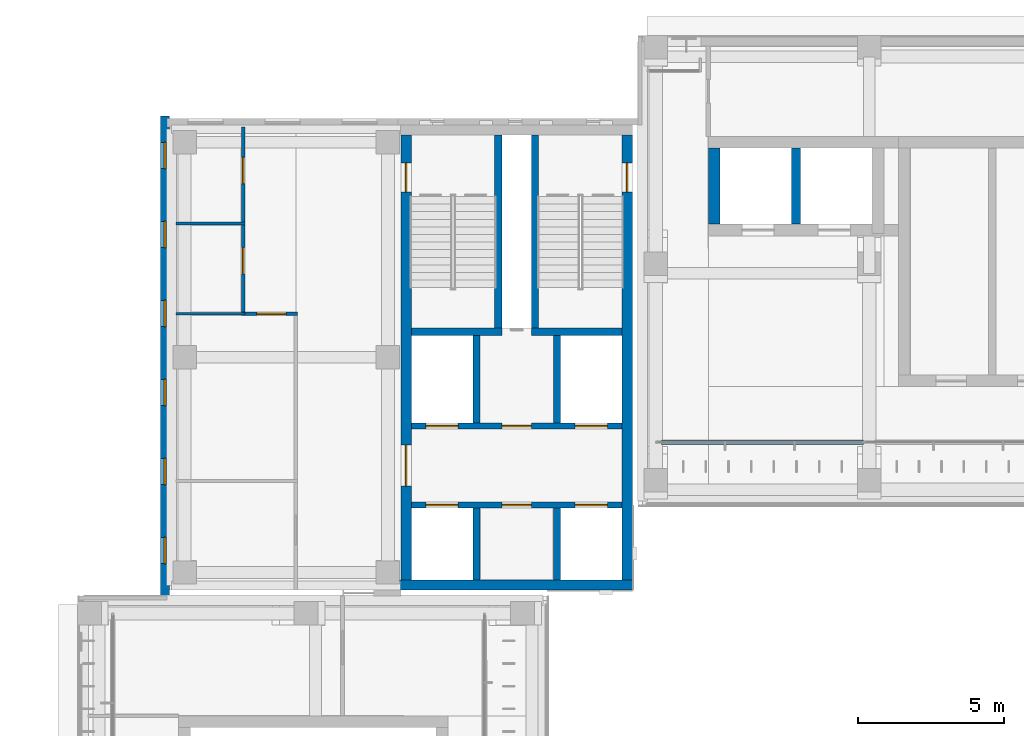
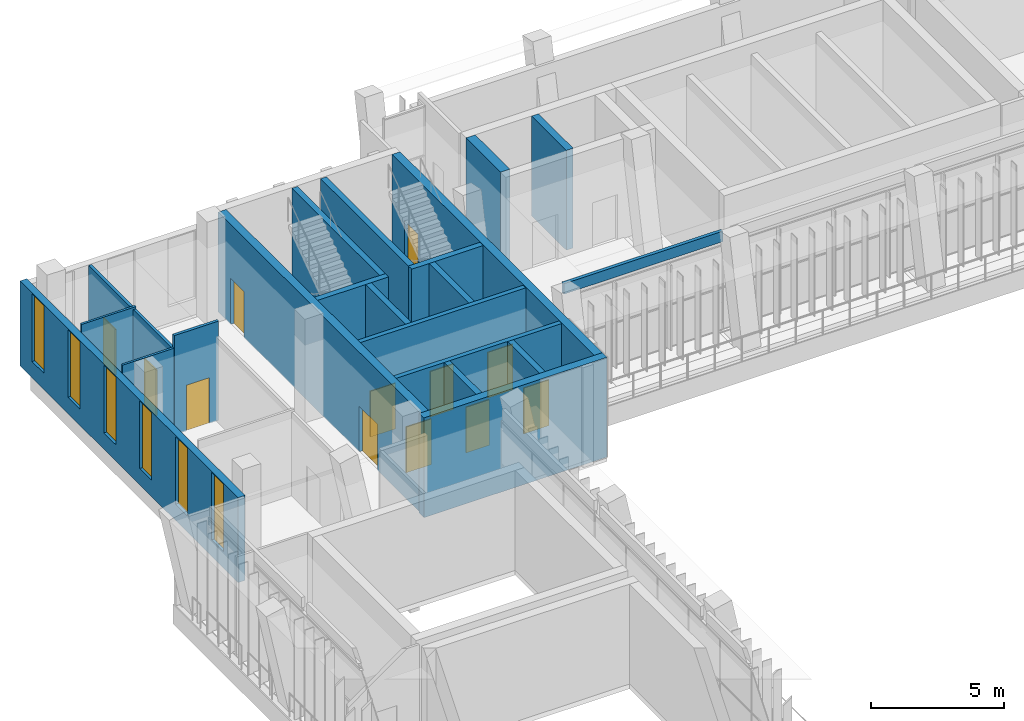
# One storey, part 63 of 89: 21 walls, 12 doors, 6 windows, 18 openings.
"""IFC4 building model written with IfcOpenShell, lengths in metres."""

from ifc_helpers import new_model, si_unit, direction, frame, frame_2d, origin, place, context, subcontext, project, spatial, rectangle, extrude, material, layer, layer_set, type_object, element, fill, save


model = new_model("IFC4")

# Units and contexts
model_context = context("Model", 3, precision=1e-05, world=origin(), true_north=direction((0.0, 1.0)))
body_context = subcontext(model_context, "Body", "Model", "MODEL_VIEW")
ifc_project = project(units=[si_unit("LENGTHUNIT", "METRE"), si_unit("AREAUNIT", "SQUARE_METRE"), si_unit("VOLUMEUNIT", "CUBIC_METRE"), si_unit("PLANEANGLEUNIT", "RADIAN"), si_unit("MASSUNIT", "GRAM", prefix="KILO")], contexts=[model_context])

# Site, building, storey
site_placement = place(None, origin())
site = spatial("IfcSite", under=ifc_project, at=site_placement, CompositionType="ELEMENT")
building_placement = place(site_placement, origin())
building = spatial("IfcBuilding", under=site, at=building_placement, Name="Lantern Court Media Centre", CompositionType="ELEMENT")
storey_placement = place(building_placement, frame((0.0, 0.0, 14.39990234375)))
storey = spatial("IfcBuildingStorey", under=building, at=storey_placement, Name="L03", CompositionType="ELEMENT", Elevation=14.39990234375)

# Wall, openings, doors
ifc_material_1 = material(Name="Gypsum board partition")
ifc_layer_1 = layer(ifc_material_1, 0.125)
ifc_layer_set_1 = layer_set([ifc_layer_1], Name="Gypsum board partition")
wall_type_1 = type_object("IfcWallType", Name="Corridor partition 125", PredefinedType="PARTITIONING", material=ifc_layer_set_1)
wall_1_placement = place(storey_placement, frame((10.60009765625, 105.60205078125, 0.0), z_axis=(0.0, 0.0, 1.0), x_axis=(0.0, 1.0, 0.0)))
wall_1 = element("IfcWall", 1, at=wall_1_placement, inside=storey, type_object=wall_type_1, Name="L03 partition 052", PredefinedType="PARTITIONING", context=body_context, shape_type="SweptSolid", body=[
    extrude(rectangle(XDim=6.31787109375, YDim=0.125, at=frame_2d((3.158935546875, 0.0))), origin(), (0.0, 0.0, 1.0), 3.880126953125),
])
opening_1_placement = place(wall_1_placement, frame((4.3828125, 0.0, 0.0)))
opening_1 = element("IfcOpeningElement", 2, at=opening_1_placement, cuts=wall_1, Name="Opening L03-044", PredefinedType="OPENING", context=body_context, shape_type="SweptSolid", body=[
    extrude(rectangle(XDim=0.89990234375, YDim=2.10009765625, at=frame_2d((0.449951171875, 1.050048828125))), frame((0.0, 0.072509765625, 0.0), z_axis=(0.0, -1.0, 0.0), x_axis=(1.0, 0.0, 0.0)), (0.0, 0.0, 1.0), 0.14501953125),
])
opening_2_placement = place(wall_1_placement, frame((1.302490234375, 0.0, 0.0)))
opening_2 = element("IfcOpeningElement", 3, at=opening_2_placement, cuts=wall_1, Name="Opening L03-045", PredefinedType="OPENING", context=body_context, shape_type="SweptSolid", body=[
    extrude(rectangle(XDim=0.89990234375, YDim=2.10009765625, at=frame_2d((0.449951171875, 1.050048828125))), frame((0.0, 0.072509765625, 0.0), z_axis=(0.0, -1.0, 0.0), x_axis=(1.0, 0.0, 0.0)), (0.0, 0.0, 1.0), 0.14501953125),
])
ifc_material_2 = material(Name="Solid-core timber door leaf", Category="wood")
door_type_1 = type_object("IfcDoorType", Name="Single door 900x2100", OperationType="NOTDEFINED", PredefinedType="DOOR", material=ifc_material_2)
door_1_placement = place(opening_1_placement, origin())
door_1 = element("IfcDoor", 4, at=door_1_placement, inside=storey, type_object=door_type_1, Name="L03 WC Male door", OperationType="SINGLE_SWING_LEFT", OverallHeight=2.10009765625, OverallWidth=0.89990234375, PredefinedType="DOOR", context=body_context, shape_type="SweptSolid", body=[
    extrude(rectangle(XDim=0.89990234375, YDim=2.10009765625, at=frame_2d((0.449951171875, 1.050048828125))), frame((0.0, 0.02490234375, 0.0), z_axis=(0.0, -1.0, 0.0), x_axis=(1.0, 0.0, 0.0)), (0.0, 0.0, 1.0), 0.050048828125),
])
fill(opening_1, door_1)
door_2_placement = place(opening_2_placement, origin())
door_2 = element("IfcDoor", 5, at=door_2_placement, inside=storey, type_object=door_type_1, Name="L03 WC Female door", OperationType="SINGLE_SWING_RIGHT", OverallHeight=2.10009765625, OverallWidth=0.89990234375, PredefinedType="DOOR", context=body_context, shape_type="SweptSolid", body=[
    extrude(rectangle(XDim=0.89990234375, YDim=2.10009765625, at=frame_2d((0.449951171875, 1.050048828125))), frame((0.0, 0.02490234375, 0.0), z_axis=(0.0, -1.0, 0.0), x_axis=(1.0, 0.0, 0.0)), (0.0, 0.0, 1.0), 0.050048828125),
])
fill(opening_2, door_2)

# Wall, opening, door
wall_2_placement = place(storey_placement, frame((10.53759765625, 105.5400390625, 0.0), z_axis=(0.0, 0.0, 1.0), x_axis=(1.0, 0.0, 0.0)))
wall_2 = element("IfcWall", 6, at=wall_2_placement, inside=storey, type_object=wall_type_1, Name="L03 partition 064", PredefinedType="PARTITIONING", context=body_context, shape_type="SweptSolid", body=[
    extrude(rectangle(XDim=1.9248046875, YDim=0.125, at=frame_2d((0.96240234375, 0.0))), origin(), (0.0, 0.0, 1.0), 4.56005859375),
])
opening_3_placement = place(wall_2_placement, frame((0.53515625, 0.0, 0.0)))
opening_3 = element("IfcOpeningElement", 7, at=opening_3_placement, cuts=wall_2, Name="Opening L03-042", PredefinedType="OPENING", context=body_context, shape_type="SweptSolid", body=[
    extrude(rectangle(XDim=1.0, YDim=2.10009765625, at=frame_2d((0.5, 1.050048828125))), frame((0.0, 0.072509765625, 0.0), z_axis=(0.0, -1.0, 0.0), x_axis=(1.0, 0.0, 0.0)), (0.0, 0.0, 1.0), 0.14501953125),
])
door_type_2 = type_object("IfcDoorType", Name="Single door 1000x2100", OperationType="NOTDEFINED", PredefinedType="DOOR", material=ifc_material_2)
door_3_placement = place(opening_3_placement, frame((1.0, 0.0, 0.0), z_axis=(0.0, 0.0, 1.0), x_axis=(-1.0, 0.0, 0.0)))
door_3 = element("IfcDoor", 8, at=door_3_placement, inside=storey, type_object=door_type_2, Name="L03 Media Training Room 05 door", OperationType="SINGLE_SWING_LEFT", OverallHeight=2.10009765625, OverallWidth=1.0, PredefinedType="DOOR", context=body_context, shape_type="SweptSolid", body=[
    extrude(rectangle(XDim=1.0, YDim=2.10009765625, at=frame_2d((0.5, 1.050048828125))), frame((0.0, 0.02490234375, 0.0), z_axis=(0.0, -1.0, 0.0), x_axis=(1.0, 0.0, 0.0)), (0.0, 0.0, 1.0), 0.050048828125),
])
fill(opening_3, door_3)

# Wall, openings, doors
ifc_material_3 = material(Name="Concrete C40", Category="concrete")
ifc_layer_2 = layer(ifc_material_3, 0.199951171875)
ifc_layer_set_2 = layer_set([ifc_layer_2], Name="Concrete C40")
wall_type_2 = type_object("IfcWallType", Name="Fire lobby wall 200", PredefinedType="SOLIDWALL", material=ifc_layer_set_2)
wall_3_placement = place(storey_placement, frame((16.35009765625, 101.699951171875, 0.0), z_axis=(0.0, 0.0, 1.0), x_axis=(1.0, 0.0, 0.0)))
wall_3 = element("IfcWall", 9, at=wall_3_placement, inside=storey, type_object=wall_type_2, Name="L03 NW FW1", PredefinedType="SOLIDWALL", context=body_context, shape_type="SweptSolid", body=[
    extrude(rectangle(XDim=7.199951171875, YDim=0.199951171875, at=frame_2d((3.60009765625, 0.0))), origin(), (0.0, 0.0, 1.0), 4.550048828125),
])
opening_4_placement = place(wall_3_placement, frame((0.5, 0.0, 0.0)))
opening_4 = element("IfcOpeningElement", 10, at=opening_4_placement, cuts=wall_3, Name="Opening LD-NWFF-L03", PredefinedType="OPENING", context=body_context, shape_type="SweptSolid", body=[
    extrude(rectangle(XDim=1.10009765625, YDim=2.10009765625, at=frame_2d((0.550048828125, 1.050048828125))), frame((0.0, 0.10986328125, 0.0), z_axis=(0.0, -1.0, 0.0), x_axis=(1.0, 0.0, 0.0)), (0.0, 0.0, 1.0), 0.219970703125),
])
opening_5_placement = place(wall_3_placement, frame((5.60009765625, 0.0, 0.0)))
opening_5 = element("IfcOpeningElement", 11, at=opening_5_placement, cuts=wall_3, Name="Opening LD-NWP1-L03", PredefinedType="OPENING", context=body_context, shape_type="SweptSolid", body=[
    extrude(rectangle(XDim=1.10009765625, YDim=2.10009765625, at=frame_2d((0.550048828125, 1.050048828125))), frame((0.0, 0.10986328125, 0.0), z_axis=(0.0, -1.0, 0.0), x_axis=(1.0, 0.0, 0.0)), (0.0, 0.0, 1.0), 0.219970703125),
])
opening_6_placement = place(wall_3_placement, frame((3.10009765625, 0.0, 0.0)))
opening_6 = element("IfcOpeningElement", 12, at=opening_6_placement, cuts=wall_3, Name="Opening NW-L03-03", PredefinedType="OPENING", context=body_context, shape_type="SweptSolid", body=[
    extrude(rectangle(XDim=1.0, YDim=2.10009765625, at=frame_2d((0.5, 1.050048828125))), frame((0.0, 0.10986328125, 0.0), z_axis=(0.0, -1.0, 0.0), x_axis=(1.0, 0.0, 0.0)), (0.0, 0.0, 1.0), 0.219970703125),
])
ifc_material_4 = material(Name="Steel door leaf", Category="steel")
door_type_3 = type_object("IfcDoorType", Name="Lift landing door 1100x2100", OperationType="DOUBLE_DOOR_SLIDING", PredefinedType="DOOR", material=ifc_material_4)
door_4_placement = place(opening_4_placement, frame((1.10009765625, 0.0, 0.0), z_axis=(0.0, 0.0, 1.0), x_axis=(-1.0, 0.0, 0.0)))
door_4 = element("IfcDoor", 13, at=door_4_placement, inside=storey, type_object=door_type_3, Name="L03 NW lift FF landing door", OperationType="DOUBLE_DOOR_SLIDING", OverallHeight=2.10009765625, OverallWidth=1.10009765625, PredefinedType="DOOR", context=body_context, shape_type="SweptSolid", body=[
    extrude(rectangle(XDim=1.10009765625, YDim=2.10009765625, at=frame_2d((0.550048828125, 1.050048828125))), frame((0.0, 0.02490234375, 0.0), z_axis=(0.0, -1.0, 0.0), x_axis=(1.0, 0.0, 0.0)), (0.0, 0.0, 1.0), 0.050048828125),
])
fill(opening_4, door_4)
door_5_placement = place(opening_5_placement, frame((1.10009765625, 0.0, 0.0), z_axis=(0.0, 0.0, 1.0), x_axis=(-1.0, 0.0, 0.0)))
door_5 = element("IfcDoor", 14, at=door_5_placement, inside=storey, type_object=door_type_3, Name="L03 NW lift P1 landing door", OperationType="DOUBLE_DOOR_SLIDING", OverallHeight=2.10009765625, OverallWidth=1.10009765625, PredefinedType="DOOR", context=body_context, shape_type="SweptSolid", body=[
    extrude(rectangle(XDim=1.10009765625, YDim=2.10009765625, at=frame_2d((0.550048828125, 1.050048828125))), frame((0.0, 0.02490234375, 0.0), z_axis=(0.0, -1.0, 0.0), x_axis=(1.0, 0.0, 0.0)), (0.0, 0.0, 1.0), 0.050048828125),
])
fill(opening_5, door_5)
door_type_4 = type_object("IfcDoorType", Name="Service door 1000x2100", OperationType="NOTDEFINED", PredefinedType="DOOR", material=ifc_material_4)
door_6_placement = place(opening_6_placement, frame((1.0, 0.0, 0.0), z_axis=(0.0, 0.0, 1.0), x_axis=(-1.0, 0.0, 0.0)))
door_6 = element("IfcDoor", 15, at=door_6_placement, inside=storey, type_object=door_type_4, Name="L03 NW services riser door", OperationType="SINGLE_SWING_LEFT", OverallHeight=2.10009765625, OverallWidth=1.0, PredefinedType="DOOR", context=body_context, shape_type="SweptSolid", body=[
    extrude(rectangle(XDim=1.0, YDim=2.10009765625, at=frame_2d((0.5, 1.050048828125))), frame((0.0, 0.02490234375, 0.0), z_axis=(0.0, -1.0, 0.0), x_axis=(1.0, 0.0, 0.0)), (0.0, 0.0, 1.0), 0.050048828125),
])
fill(opening_6, door_6)

wall_4_placement = place(storey_placement, frame((16.35009765625, 99.0, 0.0), z_axis=(0.0, 0.0, 1.0), x_axis=(1.0, 0.0, 0.0)))
wall_4 = element("IfcWall", 16, at=wall_4_placement, inside=storey, type_object=wall_type_2, Name="L03 NW FW2", PredefinedType="SOLIDWALL", context=body_context, shape_type="SweptSolid", body=[
    extrude(rectangle(XDim=7.199951171875, YDim=0.199951171875, at=frame_2d((3.60009765625, 0.0))), origin(), (0.0, 0.0, 1.0), 4.550048828125),
])
opening_7_placement = place(wall_4_placement, frame((0.5, 0.0, 0.0)))
opening_7 = element("IfcOpeningElement", 17, at=opening_7_placement, cuts=wall_4, Name="Opening LD-NWP2-L03", PredefinedType="OPENING", context=body_context, shape_type="SweptSolid", body=[
    extrude(rectangle(XDim=1.10009765625, YDim=2.10009765625, at=frame_2d((0.550048828125, 1.050048828125))), frame((0.0, 0.10986328125, 0.0), z_axis=(0.0, -1.0, 0.0), x_axis=(1.0, 0.0, 0.0)), (0.0, 0.0, 1.0), 0.219970703125),
])
opening_8_placement = place(wall_4_placement, frame((5.60009765625, 0.0, 0.0)))
opening_8 = element("IfcOpeningElement", 18, at=opening_8_placement, cuts=wall_4, Name="Opening LD-NWP3-L03", PredefinedType="OPENING", context=body_context, shape_type="SweptSolid", body=[
    extrude(rectangle(XDim=1.10009765625, YDim=2.10009765625, at=frame_2d((0.550048828125, 1.050048828125))), frame((0.0, 0.10986328125, 0.0), z_axis=(0.0, -1.0, 0.0), x_axis=(1.0, 0.0, 0.0)), (0.0, 0.0, 1.0), 0.219970703125),
])
opening_9_placement = place(wall_4_placement, frame((3.10009765625, 0.0, 0.0)))
opening_9 = element("IfcOpeningElement", 19, at=opening_9_placement, cuts=wall_4, Name="Opening NW-L03-04", PredefinedType="OPENING", context=body_context, shape_type="SweptSolid", body=[
    extrude(rectangle(XDim=1.0, YDim=2.10009765625, at=frame_2d((0.5, 1.050048828125))), frame((0.0, 0.10986328125, 0.0), z_axis=(0.0, -1.0, 0.0), x_axis=(1.0, 0.0, 0.0)), (0.0, 0.0, 1.0), 0.219970703125),
])
door_7_placement = place(opening_7_placement, origin())
door_7 = element("IfcDoor", 20, at=door_7_placement, inside=storey, type_object=door_type_3, Name="L03 NW lift P2 landing door", OperationType="DOUBLE_DOOR_SLIDING", OverallHeight=2.10009765625, OverallWidth=1.10009765625, PredefinedType="DOOR", context=body_context, shape_type="SweptSolid", body=[
    extrude(rectangle(XDim=1.10009765625, YDim=2.10009765625, at=frame_2d((0.550048828125, 1.050048828125))), frame((0.0, 0.02490234375, 0.0), z_axis=(0.0, -1.0, 0.0), x_axis=(1.0, 0.0, 0.0)), (0.0, 0.0, 1.0), 0.050048828125),
])
fill(opening_7, door_7)
door_8_placement = place(opening_8_placement, origin())
door_8 = element("IfcDoor", 21, at=door_8_placement, inside=storey, type_object=door_type_3, Name="L03 NW lift P3 landing door", OperationType="DOUBLE_DOOR_SLIDING", OverallHeight=2.10009765625, OverallWidth=1.10009765625, PredefinedType="DOOR", context=body_context, shape_type="SweptSolid", body=[
    extrude(rectangle(XDim=1.10009765625, YDim=2.10009765625, at=frame_2d((0.550048828125, 1.050048828125))), frame((0.0, 0.02490234375, 0.0), z_axis=(0.0, -1.0, 0.0), x_axis=(1.0, 0.0, 0.0)), (0.0, 0.0, 1.0), 0.050048828125),
])
fill(opening_8, door_8)
door_9_placement = place(opening_9_placement, origin())
door_9 = element("IfcDoor", 22, at=door_9_placement, inside=storey, type_object=door_type_4, Name="L03 NW accessible WC door", OperationType="SINGLE_SWING_RIGHT", OverallHeight=2.10009765625, OverallWidth=1.0, PredefinedType="DOOR", context=body_context, shape_type="SweptSolid", body=[
    extrude(rectangle(XDim=1.0, YDim=2.10009765625, at=frame_2d((0.5, 1.050048828125))), frame((0.0, 0.02490234375, 0.0), z_axis=(0.0, -1.0, 0.0), x_axis=(1.0, 0.0, 0.0)), (0.0, 0.0, 1.0), 0.050048828125),
])
fill(opening_9, door_9)

# Wall
ifc_material_5 = material(Name="Insulated rendered blockwork", Category="masonry")
ifc_layer_3 = layer(ifc_material_5, 0.14990234375)
ifc_layer_set_3 = layer_set([ifc_layer_3], Name="Insulated rendered blockwork")
wall_type_3 = type_object("IfcWallType", Name="Head infill wall 150", PredefinedType="SOLIDWALL", material=ifc_layer_set_3)
wall_5_placement = place(storey_placement, frame((24.89990234375, 101.14990234375, 4.10009765625), z_axis=(0.0, 0.0, 1.0), x_axis=(1.0, 0.0, 0.0)))
element("IfcWall", 23, at=wall_5_placement, inside=storey, type_object=wall_type_3, Name="Head infill wall N inner L03", PredefinedType="SOLIDWALL", context=body_context, shape_type="SweptSolid", body=[
    extrude(rectangle(XDim=6.900146484375, YDim=0.14990234375, at=frame_2d((3.4501953125, 0.0))), origin(), (0.0, 0.0, 1.0), 0.47998046875),
])

# Wall, openings, windows
ifc_material_6 = material(Name="Honed limestone cladding on blockwork", Category="masonry")
ifc_layer_4 = layer(ifc_material_6, 0.300048828125)
ifc_layer_set_4 = layer_set([ifc_layer_4], Name="Honed limestone cladding on blockwork")
wall_type_4 = type_object("IfcWallType", Name="Limestone block wall 300", PredefinedType="SOLIDWALL", material=ifc_layer_set_4)
wall_6_placement = place(storey_placement, frame((7.929931640625, 95.89990234375, 0.0), z_axis=(0.0, 0.0, 1.0), x_axis=(0.0, 1.0, 0.0)))
wall_6 = element("IfcWall", 24, at=wall_6_placement, inside=storey, type_object=wall_type_4, Name="Limestone wall NW W L03", PredefinedType="SOLIDWALL", context=body_context, shape_type="SweptSolid", body=[
    extrude(rectangle(XDim=16.400146484375, YDim=0.300048828125, at=frame_2d((8.2001953125, 0.0))), origin(), (0.0, 0.0, 1.0), 3.900146484375),
])
opening_10_placement = place(wall_6_placement, frame((1.10009765625, 0.0, 0.75)))
opening_10 = element("IfcOpeningElement", 25, at=opening_10_placement, cuts=wall_6, Name="Opening WN-N", PredefinedType="OPENING", context=body_context, shape_type="SweptSolid", body=[
    extrude(rectangle(XDim=0.89990234375, YDim=3.10009765625, at=frame_2d((0.449951171875, 1.550048828125))), frame((0.0, 0.159912109375, 0.0), z_axis=(0.0, -1.0, 0.0), x_axis=(1.0, 0.0, 0.0)), (0.0, 0.0, 1.0), 0.320068359375),
])
opening_11_placement = place(wall_6_placement, frame((3.800048828125, 0.0, 0.75)))
opening_11 = element("IfcOpeningElement", 26, at=opening_11_placement, cuts=wall_6, Name="Opening WN-N", PredefinedType="OPENING", context=body_context, shape_type="SweptSolid", body=[
    extrude(rectangle(XDim=0.89990234375, YDim=3.10009765625, at=frame_2d((0.449951171875, 1.550048828125))), frame((0.0, 0.159912109375, 0.0), z_axis=(0.0, -1.0, 0.0), x_axis=(1.0, 0.0, 0.0)), (0.0, 0.0, 1.0), 0.320068359375),
])
opening_12_placement = place(wall_6_placement, frame((6.5, 0.0, 0.75)))
opening_12 = element("IfcOpeningElement", 27, at=opening_12_placement, cuts=wall_6, Name="Opening WN-N", PredefinedType="OPENING", context=body_context, shape_type="SweptSolid", body=[
    extrude(rectangle(XDim=0.89990234375, YDim=3.10009765625, at=frame_2d((0.449951171875, 1.550048828125))), frame((0.0, 0.159912109375, 0.0), z_axis=(0.0, -1.0, 0.0), x_axis=(1.0, 0.0, 0.0)), (0.0, 0.0, 1.0), 0.320068359375),
])
opening_13_placement = place(wall_6_placement, frame((9.199951171875, 0.0, 0.75)))
opening_13 = element("IfcOpeningElement", 28, at=opening_13_placement, cuts=wall_6, Name="Opening WN-N", PredefinedType="OPENING", context=body_context, shape_type="SweptSolid", body=[
    extrude(rectangle(XDim=0.89990234375, YDim=3.10009765625, at=frame_2d((0.449951171875, 1.550048828125))), frame((0.0, 0.159912109375, 0.0), z_axis=(0.0, -1.0, 0.0), x_axis=(1.0, 0.0, 0.0)), (0.0, 0.0, 1.0), 0.320068359375),
])
opening_14_placement = place(wall_6_placement, frame((11.89990234375, 0.0, 0.75)))
opening_14 = element("IfcOpeningElement", 29, at=opening_14_placement, cuts=wall_6, Name="Opening WN-N", PredefinedType="OPENING", context=body_context, shape_type="SweptSolid", body=[
    extrude(rectangle(XDim=0.89990234375, YDim=3.10009765625, at=frame_2d((0.449951171875, 1.550048828125))), frame((0.0, 0.159912109375, 0.0), z_axis=(0.0, -1.0, 0.0), x_axis=(1.0, 0.0, 0.0)), (0.0, 0.0, 1.0), 0.320068359375),
])
opening_15_placement = place(wall_6_placement, frame((14.60009765625, 0.0, 0.75)))
opening_15 = element("IfcOpeningElement", 30, at=opening_15_placement, cuts=wall_6, Name="Opening WN-N", PredefinedType="OPENING", context=body_context, shape_type="SweptSolid", body=[
    extrude(rectangle(XDim=0.89990234375, YDim=3.10009765625, at=frame_2d((0.449951171875, 1.550048828125))), frame((0.0, 0.159912109375, 0.0), z_axis=(0.0, -1.0, 0.0), x_axis=(1.0, 0.0, 0.0)), (0.0, 0.0, 1.0), 0.320068359375),
])
ifc_material_7 = material(Name="Anodised aluminium and glass", Category="aluminium")
window_type = type_object("IfcWindowType", Name="Pier window 900x3100", PartitioningType="SINGLE_PANEL", PredefinedType="WINDOW", material=ifc_material_7)
window_1_placement = place(opening_10_placement, origin())
window_1 = element("IfcWindow", 31, at=window_1_placement, inside=storey, type_object=window_type, Name="Window NW W L03", OverallHeight=3.10009765625, OverallWidth=0.89990234375, PartitioningType="SINGLE_PANEL", PredefinedType="WINDOW", context=body_context, shape_type="SweptSolid", body=[
    extrude(rectangle(XDim=0.89990234375, YDim=3.10009765625, at=frame_2d((0.449951171875, 1.550048828125))), frame((0.0, 0.030029296875, 0.0), z_axis=(0.0, -1.0, 0.0), x_axis=(1.0, 0.0, 0.0)), (0.0, 0.0, 1.0), 0.06005859375),
])
fill(opening_10, window_1)
window_2_placement = place(opening_11_placement, origin())
window_2 = element("IfcWindow", 32, at=window_2_placement, inside=storey, type_object=window_type, Name="Window NW W L03", OverallHeight=3.10009765625, OverallWidth=0.89990234375, PartitioningType="SINGLE_PANEL", PredefinedType="WINDOW", context=body_context, shape_type="SweptSolid", body=[
    extrude(rectangle(XDim=0.89990234375, YDim=3.10009765625, at=frame_2d((0.449951171875, 1.550048828125))), frame((0.0, 0.030029296875, 0.0), z_axis=(0.0, -1.0, 0.0), x_axis=(1.0, 0.0, 0.0)), (0.0, 0.0, 1.0), 0.06005859375),
])
fill(opening_11, window_2)
window_3_placement = place(opening_12_placement, origin())
window_3 = element("IfcWindow", 33, at=window_3_placement, inside=storey, type_object=window_type, Name="Window NW W L03", OverallHeight=3.10009765625, OverallWidth=0.89990234375, PartitioningType="SINGLE_PANEL", PredefinedType="WINDOW", context=body_context, shape_type="SweptSolid", body=[
    extrude(rectangle(XDim=0.89990234375, YDim=3.10009765625, at=frame_2d((0.449951171875, 1.550048828125))), frame((0.0, 0.030029296875, 0.0), z_axis=(0.0, -1.0, 0.0), x_axis=(1.0, 0.0, 0.0)), (0.0, 0.0, 1.0), 0.06005859375),
])
fill(opening_12, window_3)
window_4_placement = place(opening_13_placement, origin())
window_4 = element("IfcWindow", 34, at=window_4_placement, inside=storey, type_object=window_type, Name="Window NW W L03", OverallHeight=3.10009765625, OverallWidth=0.89990234375, PartitioningType="SINGLE_PANEL", PredefinedType="WINDOW", context=body_context, shape_type="SweptSolid", body=[
    extrude(rectangle(XDim=0.89990234375, YDim=3.10009765625, at=frame_2d((0.449951171875, 1.550048828125))), frame((0.0, 0.030029296875, 0.0), z_axis=(0.0, -1.0, 0.0), x_axis=(1.0, 0.0, 0.0)), (0.0, 0.0, 1.0), 0.06005859375),
])
fill(opening_13, window_4)
window_5_placement = place(opening_14_placement, origin())
window_5 = element("IfcWindow", 35, at=window_5_placement, inside=storey, type_object=window_type, Name="Window NW W L03", OverallHeight=3.10009765625, OverallWidth=0.89990234375, PartitioningType="SINGLE_PANEL", PredefinedType="WINDOW", context=body_context, shape_type="SweptSolid", body=[
    extrude(rectangle(XDim=0.89990234375, YDim=3.10009765625, at=frame_2d((0.449951171875, 1.550048828125))), frame((0.0, 0.030029296875, 0.0), z_axis=(0.0, -1.0, 0.0), x_axis=(1.0, 0.0, 0.0)), (0.0, 0.0, 1.0), 0.06005859375),
])
fill(opening_14, window_5)
window_6_placement = place(opening_15_placement, origin())
window_6 = element("IfcWindow", 36, at=window_6_placement, inside=storey, type_object=window_type, Name="Window NW W L03", OverallHeight=3.10009765625, OverallWidth=0.89990234375, PartitioningType="SINGLE_PANEL", PredefinedType="WINDOW", context=body_context, shape_type="SweptSolid", body=[
    extrude(rectangle(XDim=0.89990234375, YDim=3.10009765625, at=frame_2d((0.449951171875, 1.550048828125))), frame((0.0, 0.030029296875, 0.0), z_axis=(0.0, -1.0, 0.0), x_axis=(1.0, 0.0, 0.0)), (0.0, 0.0, 1.0), 0.06005859375),
])
fill(opening_15, window_6)

# Walls
ifc_layer_5 = layer(ifc_material_1, 0.10009765625)
ifc_layer_set_5 = layer_set([ifc_layer_5], Name="Gypsum board partition")
wall_type_5 = type_object("IfcWallType", Name="Partition 100", PredefinedType="PARTITIONING", material=ifc_layer_set_5)
for number, where, z_axis, x_axis, name in (
    (37, (8.300048828125, 105.5400390625, 0.0), (0.0, 0.0, 1.0), (1.0, 0.0, 0.0), "L03 partition 063"),
    (38, (8.300048828125, 108.6201171875, 0.0), (0.0, 0.0, 1.0), (1.0, 0.0, 0.0), "L03 partition 065"),
):
    element("IfcWall", number, at=place(storey_placement, frame(where, z_axis=z_axis, x_axis=x_axis)), inside=storey, type_object=wall_type_5, Name=name, PredefinedType="PARTITIONING", context=body_context, shape_type="SweptSolid", body=[
        extrude(rectangle(XDim=2.362548828125, YDim=0.10009765625, at=frame_2d((1.18115234375, 0.0))), origin(), (0.0, 0.0, 1.0), 3.97998046875),
    ])
ifc_layer_6 = layer(ifc_material_3, 0.35009765625)
ifc_layer_set_6 = layer_set([ifc_layer_6], Name="Concrete C40")
wall_type_6 = type_object("IfcWallType", Name="RC CORE WALL 350", PredefinedType="SHEAR", material=ifc_layer_set_6)
wall_7_placement = place(storey_placement, frame((15.949951171875, 96.27490234375, 0.0), z_axis=(0.0, 0.0, 1.0), x_axis=(1.0, 0.0, 0.0)))
element("IfcWall", 39, at=wall_7_placement, inside=storey, type_object=wall_type_6, Name="WC-NW-L03-S", PredefinedType="SHEAR", context=body_context, shape_type="SweptSolid", body=[
    extrude(rectangle(XDim=7.949951171875, YDim=0.35009765625, at=frame_2d((3.97509765625, 0.0))), origin(), (0.0, 0.0, 1.0), 4.580078125),
])

# Wall, openings, doors
wall_8_placement = place(storey_placement, frame((16.175048828125, 96.449951171875, 0.0), z_axis=(0.0, 0.0, 1.0), x_axis=(0.0, 1.0, 0.0)))
wall_8 = element("IfcWall", 40, at=wall_8_placement, inside=storey, type_object=wall_type_6, Name="WC-NW-L03-W", PredefinedType="SHEAR", context=body_context, shape_type="SweptSolid", body=[
    extrude(rectangle(XDim=15.199951171875, YDim=0.35009765625, at=frame_2d((7.60009765625, 0.0))), origin(), (0.0, 0.0, 1.0), 4.580078125),
])
opening_16_placement = place(wall_8_placement, frame((13.25, 0.0, 0.0)))
opening_16 = element("IfcOpeningElement", 41, at=opening_16_placement, cuts=wall_8, Name="Opening NW-L03-01", PredefinedType="OPENING", context=body_context, shape_type="SweptSolid", body=[
    extrude(rectangle(XDim=1.0, YDim=2.10009765625, at=frame_2d((0.5, 1.050048828125))), frame((0.0, 0.18505859375, 0.0), z_axis=(0.0, -1.0, 0.0), x_axis=(1.0, 0.0, 0.0)), (0.0, 0.0, 1.0), 0.3701171875),
])
opening_17_placement = place(wall_8_placement, frame((3.199951171875, 0.0, 0.0)))
opening_17 = element("IfcOpeningElement", 42, at=opening_17_placement, cuts=wall_8, Name="Opening NW-L03-05", PredefinedType="OPENING", context=body_context, shape_type="SweptSolid", body=[
    extrude(rectangle(XDim=1.39990234375, YDim=2.10009765625, at=frame_2d((0.699951171875, 1.050048828125))), frame((0.0, 0.18505859375, 0.0), z_axis=(0.0, -1.0, 0.0), x_axis=(1.0, 0.0, 0.0)), (0.0, 0.0, 1.0), 0.3701171875),
])
door_type_5 = type_object("IfcDoorType", Name="Lift lobby double door 1400x2100", OperationType="NOTDEFINED", PredefinedType="DOOR", material=ifc_material_4)
door_10_placement = place(opening_17_placement, origin())
door_10 = element("IfcDoor", 43, at=door_10_placement, inside=storey, type_object=door_type_5, Name="L03 NW lift lobby west door", OperationType="SINGLE_SWING_LEFT", OverallHeight=2.10009765625, OverallWidth=1.39990234375, PredefinedType="DOOR", context=body_context, shape_type="SweptSolid", body=[
    extrude(rectangle(XDim=1.39990234375, YDim=2.10009765625, at=frame_2d((0.699951171875, 1.050048828125))), frame((0.0, 0.02490234375, 0.0), z_axis=(0.0, -1.0, 0.0), x_axis=(1.0, 0.0, 0.0)), (0.0, 0.0, 1.0), 0.050048828125),
])
fill(opening_17, door_10)
door_type_6 = type_object("IfcDoorType", Name="Stair door 1000x2100", OperationType="NOTDEFINED", PredefinedType="DOOR", material=ifc_material_4)
door_11_placement = place(opening_16_placement, origin())
door_11 = element("IfcDoor", 44, at=door_11_placement, inside=storey, type_object=door_type_6, Name="L03 NW stair A door", OperationType="SINGLE_SWING_LEFT", OverallHeight=2.10009765625, OverallWidth=1.0, PredefinedType="DOOR", context=body_context, shape_type="SweptSolid", body=[
    extrude(rectangle(XDim=1.0, YDim=2.10009765625, at=frame_2d((0.5, 1.050048828125))), frame((0.0, 0.02490234375, 0.0), z_axis=(0.0, -1.0, 0.0), x_axis=(1.0, 0.0, 0.0)), (0.0, 0.0, 1.0), 0.050048828125),
])
fill(opening_16, door_11)

# Wall, opening, door
wall_9_placement = place(storey_placement, frame((23.72509765625, 96.449951171875, 0.0), z_axis=(0.0, 0.0, 1.0), x_axis=(0.0, 1.0, 0.0)))
wall_9 = element("IfcWall", 45, at=wall_9_placement, inside=storey, type_object=wall_type_6, Name="WC-NW-L03-E", PredefinedType="SHEAR", context=body_context, shape_type="SweptSolid", body=[
    extrude(rectangle(XDim=15.199951171875, YDim=0.35009765625, at=frame_2d((7.60009765625, 0.0))), origin(), (0.0, 0.0, 1.0), 4.580078125),
])
opening_18_placement = place(wall_9_placement, frame((13.25, 0.0, 0.0)))
opening_18 = element("IfcOpeningElement", 46, at=opening_18_placement, cuts=wall_9, Name="Opening NW-L03-02", PredefinedType="OPENING", context=body_context, shape_type="SweptSolid", body=[
    extrude(rectangle(XDim=1.0, YDim=2.10009765625, at=frame_2d((0.5, 1.050048828125))), frame((0.0, 0.18505859375, 0.0), z_axis=(0.0, -1.0, 0.0), x_axis=(1.0, 0.0, 0.0)), (0.0, 0.0, 1.0), 0.3701171875),
])
door_12_placement = place(opening_18_placement, frame((1.0, 0.0, 0.0), z_axis=(0.0, 0.0, 1.0), x_axis=(-1.0, 0.0, 0.0)))
door_12 = element("IfcDoor", 47, at=door_12_placement, inside=storey, type_object=door_type_6, Name="L03 NW stair B door", OperationType="SINGLE_SWING_LEFT", OverallHeight=2.10009765625, OverallWidth=1.0, PredefinedType="DOOR", context=body_context, shape_type="SweptSolid", body=[
    extrude(rectangle(XDim=1.0, YDim=2.10009765625, at=frame_2d((0.5, 1.050048828125))), frame((0.0, 0.02490234375, 0.0), z_axis=(0.0, -1.0, 0.0), x_axis=(1.0, 0.0, 0.0)), (0.0, 0.0, 1.0), 0.050048828125),
])
fill(opening_18, door_12)

# Walls
ifc_layer_7 = layer(ifc_material_3, 0.300048828125)
ifc_layer_set_7 = layer_set([ifc_layer_7], Name="Concrete C40")
wall_type_7 = type_object("IfcWallType", Name="RC SHEAR WALL 300", PredefinedType="SHEAR", material=ifc_layer_set_7)
wall_10_placement = place(storey_placement, frame((29.5, 108.60009765625, 0.0), z_axis=(0.0, 0.0, 1.0), x_axis=(0.0, 1.0, 0.0)))
element("IfcWall", 48, at=wall_10_placement, inside=storey, type_object=wall_type_7, Name="WB-N-LC-L03-D", PredefinedType="SHEAR", context=body_context, shape_type="SweptSolid", body=[
    extrude(rectangle(XDim=2.599853515625, YDim=0.300048828125, at=frame_2d((1.2998046875, 0.0))), origin(), (0.0, 0.0, 1.0), 4.580078125),
])
ifc_layer_8 = layer(ifc_material_3, 0.39990234375)
ifc_layer_set_8 = layer_set([ifc_layer_8], Name="Concrete C40")
wall_type_8 = type_object("IfcWallType", Name="RC SHEAR WALL 400", PredefinedType="SHEAR", material=ifc_layer_set_8)
wall_11_placement = place(storey_placement, frame((26.699951171875, 108.60009765625, 0.0), z_axis=(0.0, 0.0, 1.0), x_axis=(0.0, 1.0, 0.0)))
element("IfcWall", 49, at=wall_11_placement, inside=storey, type_object=wall_type_8, Name="WB-N-LC-L03-W", PredefinedType="SHEAR", context=body_context, shape_type="SweptSolid", body=[
    extrude(rectangle(XDim=2.599853515625, YDim=0.39990234375, at=frame_2d((1.2998046875, 0.0))), origin(), (0.0, 0.0, 1.0), 4.580078125),
])
ifc_layer_9 = layer(ifc_material_3, 0.25)
ifc_layer_set_9 = layer_set([ifc_layer_9], Name="Concrete C40")
wall_type_9 = type_object("IfcWallType", Name="RC lift shaft wall 250", PredefinedType="SOLIDWALL", material=ifc_layer_set_9)
wall_12_placement = place(storey_placement, frame((18.574951171875, 104.800048828125, 0.0), z_axis=(0.0, 0.0, 1.0), x_axis=(0.0, -1.0, 0.0)))
element("IfcWall", 50, at=wall_12_placement, inside=storey, type_object=wall_type_9, Name="L03 NW L1a", PredefinedType="SOLIDWALL", context=body_context, shape_type="SweptSolid", body=[
    extrude(rectangle(XDim=3.0, YDim=0.25, at=frame_2d((1.5, 0.0))), origin(), (0.0, 0.0, 1.0), 4.550048828125),
])
wall_13_placement = place(storey_placement, frame((18.574951171875, 98.89990234375, 0.0), z_axis=(0.0, 0.0, 1.0), x_axis=(0.0, -1.0, 0.0)))
element("IfcWall", 51, at=wall_13_placement, inside=storey, type_object=wall_type_9, Name="L03 NW L1b", PredefinedType="SOLIDWALL", context=body_context, shape_type="SweptSolid", body=[
    extrude(rectangle(XDim=2.449951171875, YDim=0.25, at=frame_2d((1.22509765625, 0.0))), origin(), (0.0, 0.0, 1.0), 4.550048828125),
])
wall_14_placement = place(storey_placement, frame((21.324951171875, 104.800048828125, 0.0), z_axis=(0.0, 0.0, 1.0), x_axis=(0.0, -1.0, 0.0)))
element("IfcWall", 52, at=wall_14_placement, inside=storey, type_object=wall_type_9, Name="L03 NW L2a", PredefinedType="SOLIDWALL", context=body_context, shape_type="SweptSolid", body=[
    extrude(rectangle(XDim=3.0, YDim=0.25, at=frame_2d((1.5, 0.0))), origin(), (0.0, 0.0, 1.0), 4.550048828125),
])
wall_15_placement = place(storey_placement, frame((21.324951171875, 98.89990234375, 0.0), z_axis=(0.0, 0.0, 1.0), x_axis=(0.0, -1.0, 0.0)))
element("IfcWall", 53, at=wall_15_placement, inside=storey, type_object=wall_type_9, Name="L03 NW L2b", PredefinedType="SOLIDWALL", context=body_context, shape_type="SweptSolid", body=[
    extrude(rectangle(XDim=2.449951171875, YDim=0.25, at=frame_2d((1.22509765625, 0.0))), origin(), (0.0, 0.0, 1.0), 4.550048828125),
])
ifc_layer_10 = layer(ifc_material_3, 0.25)
ifc_layer_set_10 = layer_set([ifc_layer_10], Name="Concrete C40")
wall_type_10 = type_object("IfcWallType", Name="RC stair shaft wall 250", PredefinedType="SOLIDWALL", material=ifc_layer_set_10)
for number, where, z_axis, x_axis, name in (
    (54, (19.324951171875, 111.64990234375, 0.0), (0.0, 0.0, 1.0), (0.0, -1.0, 0.0), "L03 NW SA"),
    (55, (20.574951171875, 111.64990234375, 0.0), (0.0, 0.0, 1.0), (0.0, -1.0, 0.0), "L03 NW SB"),
):
    element("IfcWall", number, at=place(storey_placement, frame(where, z_axis=z_axis, x_axis=x_axis)), inside=storey, type_object=wall_type_10, Name=name, PredefinedType="SOLIDWALL", context=body_context, shape_type="SweptSolid", body=[
        extrude(rectangle(XDim=6.599853515625, YDim=0.25, at=frame_2d((3.2998046875, 0.0))), origin(), (0.0, 0.0, 1.0), 4.550048828125),
    ])
wall_16_placement = place(storey_placement, frame((16.35009765625, 104.925048828125, 0.0), z_axis=(0.0, 0.0, 1.0), x_axis=(1.0, 0.0, 0.0)))
element("IfcWall", 56, at=wall_16_placement, inside=storey, type_object=wall_type_10, Name="L03 NW SN1", PredefinedType="SOLIDWALL", context=body_context, shape_type="SweptSolid", body=[
    extrude(rectangle(XDim=3.099853515625, YDim=0.25, at=frame_2d((1.5498046875, 0.0))), origin(), (0.0, 0.0, 1.0), 4.550048828125),
])
wall_17_placement = place(storey_placement, frame((20.449951171875, 104.925048828125, 0.0), z_axis=(0.0, 0.0, 1.0), x_axis=(1.0, 0.0, 0.0)))
element("IfcWall", 57, at=wall_17_placement, inside=storey, type_object=wall_type_10, Name="L03 NW SN2", PredefinedType="SOLIDWALL", context=body_context, shape_type="SweptSolid", body=[
    extrude(rectangle(XDim=3.10009765625, YDim=0.25, at=frame_2d((1.550048828125, 0.0))), origin(), (0.0, 0.0, 1.0), 4.550048828125),
])

save(model, "model.ifc")
